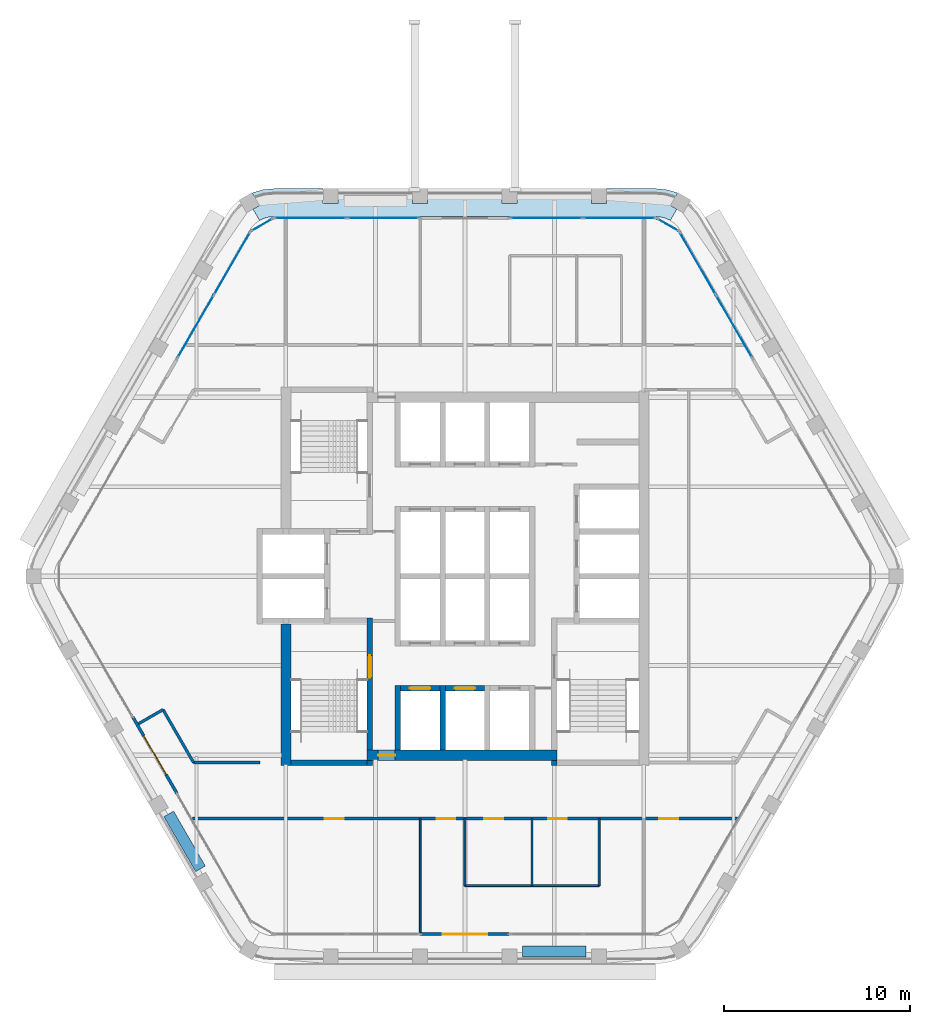
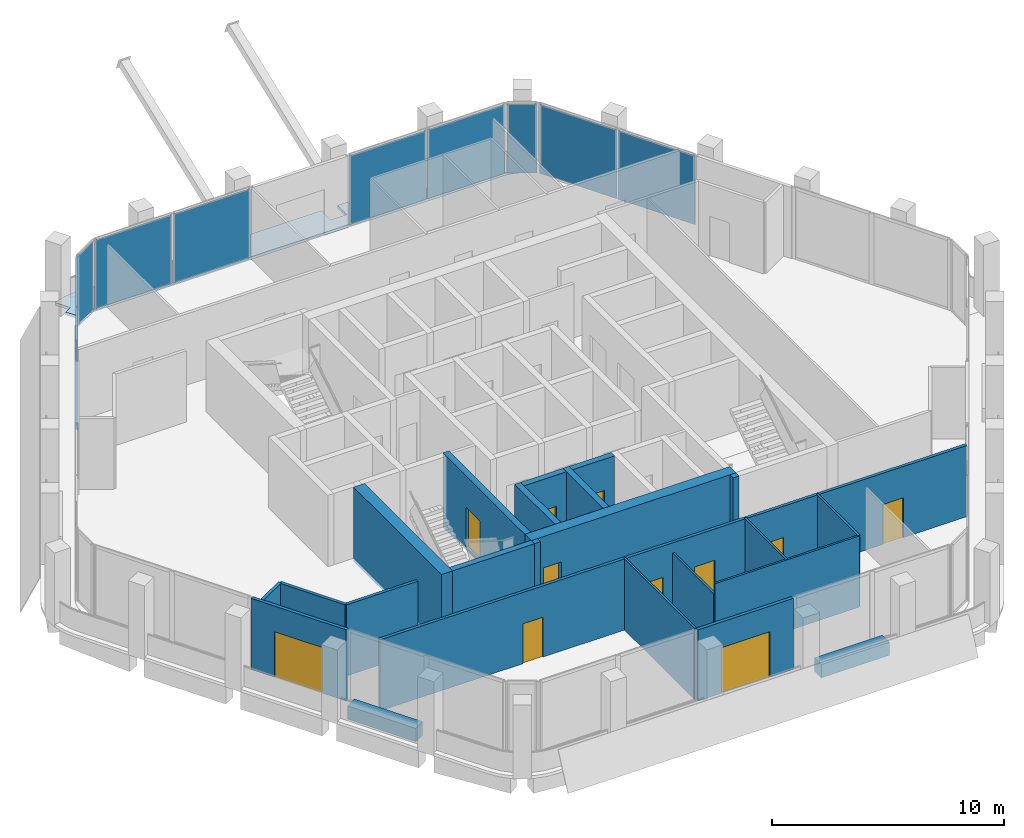
# One storey, part 7 of 14: 23 walls, 11 doors, 10 plates, 1 slab, 11 openings, 6 elements without a shape of their own.
"""IFC4 building model written with IfcOpenShell, lengths in metres."""

from ifc_helpers import new_model, si_unit, direction, frame, frame_2d, origin, origin_2d, place, context, subcontext, project, spatial, polyline, rectangle, outline, extrude, material, layer, layer_set, type_object, element, fill, aggregate, save


model = new_model("IFC4")

# Units and contexts
model_context = context("Model", 3, precision=1e-05, world=origin(), true_north=direction((0.0, 1.0)))
body_context = subcontext(model_context, "Body", "Model", "MODEL_VIEW")
ifc_project = project(units=[si_unit("LENGTHUNIT", "METRE"), si_unit("AREAUNIT", "SQUARE_METRE"), si_unit("VOLUMEUNIT", "CUBIC_METRE"), si_unit("PLANEANGLEUNIT", "RADIAN"), si_unit("MASSUNIT", "GRAM", prefix="KILO")], contexts=[model_context])

# Site, building, storey
site_placement = place(None, origin())
site = spatial("IfcSite", under=ifc_project, at=site_placement, CompositionType="ELEMENT")
building_placement = place(site_placement, origin())
building = spatial("IfcBuilding", under=site, at=building_placement, Name="Kolab Exchange Tower", CompositionType="ELEMENT")
storey_placement = place(building_placement, frame((0.0, 0.0, 261.800048828125)))
storey = spatial("IfcBuildingStorey", under=building, at=storey_placement, Name="L58", CompositionType="ELEMENT", Elevation=261.800048828125)

# Slab
ifc_material_1 = material(Name="Concrete C35/45", Category="concrete")
ifc_layer_1 = layer(ifc_material_1, 0.14990234375)
ifc_layer_set_1 = layer_set([ifc_layer_1], Name="Concrete C35/45")
slab_type = type_object("IfcSlabType", Name="LOGGIA SLAB 150", PredefinedType="FLOOR", material=ifc_layer_set_1)
slab_placement = place(storey_placement, frame((0.0, 0.0, -0.150146484375)))
element("IfcSlab", 1, at=slab_placement, inside=storey, type_object=slab_type, Name="slab/L58/loggia/0-0", PredefinedType="FLOOR", context=body_context, shape_type="SweptSolid", body=[
    extrude(outline(polyline([(11.01806640625, 19.083740234375), (11.367919921875, 19.68994140625), (11.021484375, 19.889892578125), (11.404052734375, 20.552490234375), (11.2939453125, 20.603759765625), (10.788818359375, 20.739013671875), (10.26806640625, 20.78466796875), (7.60009765625, 20.78466796875), (7.60009765625, 19.984619140625), (6.800048828125, 19.984619140625), (6.800048828125, 20.78466796875), (2.800048828125, 20.78466796875), (2.800048828125, 19.984619140625), (2.0, 19.984619140625), (2.0, 20.78466796875), (-2.0, 20.78466796875), (-2.0, 19.984619140625), (-2.800048828125, 19.984619140625), (-2.800048828125, 20.78466796875), (-6.800048828125, 20.78466796875), (-6.800048828125, 19.984619140625), (-7.60009765625, 19.984619140625), (-7.60009765625, 20.78466796875), (-10.26806640625, 20.78466796875), (-10.788818359375, 20.739013671875), (-11.2939453125, 20.603759765625), (-11.404052734375, 20.552490234375), (-11.021484375, 19.889892578125), (-11.367919921875, 19.68994140625), (-11.01806640625, 19.083740234375), (-10.781005859375, 19.194091796875), (-10.5283203125, 19.26171875), (-10.26806640625, 19.28466796875), (10.26806640625, 19.28466796875), (10.5283203125, 19.26171875), (10.781005859375, 19.194091796875), (11.01806640625, 19.083740234375)])), origin(), (0.0, 0.0, 1.0), 0.150146484375),
])

# Curtain wall, plates
ifc_material_2 = material(Name="Aluminium EN AW-6063 T6", Category="aluminium")
curtain_wall_type = type_object("IfcCurtainWallType", Name="UNITISED HIGH ZONE CURTAIN WALL", PredefinedType="NOTDEFINED", material=ifc_material_2)
curtain_wall_1_placement = place(storey_placement, origin())
curtain_wall_1 = element("IfcCurtainWall", 2, at=curtain_wall_1_placement, inside=storey, type_object=curtain_wall_type, Name="cw/L58/F1-1", PredefinedType="NOTDEFINED")
ifc_material_3 = material(Name="Clear insulated glazing unit", Category="glass")
ifc_layer_2 = layer(ifc_material_3, 0.030029296875)
ifc_layer_set_2 = layer_set([ifc_layer_2], Name="Clear insulated glazing unit")
plate_type = type_object("IfcPlateType", Name="UNITISED HIGH ZONE GLASS PANEL 30", PredefinedType="CURTAIN_PANEL", material=ifc_layer_set_2)
plate_1_placement = place(storey_placement, frame((-8.285888671875, 19.20458984375, 0.06005859375), z_axis=(0.0, 0.0, 1.0), x_axis=(1.0, 0.0, 0.0)))
plate_1 = element("IfcPlate", 3, at=plate_1_placement, type_object=plate_type, Name="CW4 panel 1.1", PredefinedType="CURTAIN_PANEL", context=body_context, shape_type="SweptSolid", body=[
    extrude(rectangle(XDim=3.843994140625, YDim=0.030029296875, at=origin_2d()), origin(), (0.0, 0.0, 1.0), 3.6298828125),
])
plate_2_placement = place(storey_placement, frame((-4.382080078125, 19.20458984375, 0.06005859375), z_axis=(0.0, 0.0, 1.0), x_axis=(1.0, 0.0, 0.0)))
plate_2 = element("IfcPlate", 4, at=plate_2_placement, type_object=plate_type, Name="CW4 panel 2.1", PredefinedType="CURTAIN_PANEL", context=body_context, shape_type="SweptSolid", body=[
    extrude(rectangle(XDim=3.843994140625, YDim=0.030029296875, at=origin_2d()), origin(), (0.0, 0.0, 1.0), 3.6298828125),
])
aggregate(curtain_wall_1, [plate_1, plate_2])

curtain_wall_2_placement = place(storey_placement, origin())
curtain_wall_2 = element("IfcCurtainWall", 5, at=curtain_wall_2_placement, inside=storey, type_object=curtain_wall_type, Name="cw/L58/F1-2", PredefinedType="NOTDEFINED")
plate_3_placement = place(storey_placement, frame((4.382080078125, 19.20458984375, 0.06005859375), z_axis=(0.0, 0.0, 1.0), x_axis=(1.0, 0.0, 0.0)))
plate_3 = element("IfcPlate", 6, at=plate_3_placement, type_object=plate_type, Name="CW4 panel 1.1", PredefinedType="CURTAIN_PANEL", context=body_context, shape_type="SweptSolid", body=[
    extrude(rectangle(XDim=3.843994140625, YDim=0.030029296875, at=origin_2d()), origin(), (0.0, 0.0, 1.0), 3.6298828125),
])
plate_4_placement = place(storey_placement, frame((8.285888671875, 19.20458984375, 0.06005859375), z_axis=(0.0, 0.0, 1.0), x_axis=(1.0, 0.0, 0.0)))
plate_4 = element("IfcPlate", 7, at=plate_4_placement, type_object=plate_type, Name="CW4 panel 2.1", PredefinedType="CURTAIN_PANEL", context=body_context, shape_type="SweptSolid", body=[
    extrude(rectangle(XDim=3.843994140625, YDim=0.030029296875, at=origin_2d()), origin(), (0.0, 0.0, 1.0), 3.6298828125),
])
aggregate(curtain_wall_2, [plate_3, plate_4])

curtain_wall_3_placement = place(storey_placement, origin())
curtain_wall_3 = element("IfcCurtainWall", 8, at=curtain_wall_3_placement, inside=storey, type_object=curtain_wall_type, Name="cw/L58/F2-1", PredefinedType="NOTDEFINED")
plate_5_placement = place(storey_placement, frame((12.48876953125, 16.778076171875, 0.06005859375), z_axis=(0.0, 0.0, 1.0), x_axis=(0.500000031681, -0.866025385493, 0.0)))
plate_5 = element("IfcPlate", 9, at=plate_5_placement, type_object=plate_type, Name="CW4 panel 1.1", PredefinedType="CURTAIN_PANEL", context=body_context, shape_type="SweptSolid", body=[
    extrude(rectangle(XDim=3.843994140625, YDim=0.030029296875, at=origin_2d()), origin(), (0.0, 0.0, 1.0), 3.6298828125),
])
plate_6_placement = place(storey_placement, frame((14.440673828125, 13.397216796875, 0.06005859375), z_axis=(0.0, 0.0, 1.0), x_axis=(0.500000031681, -0.866025385493, 0.0)))
plate_6 = element("IfcPlate", 10, at=plate_6_placement, type_object=plate_type, Name="CW4 panel 2.1", PredefinedType="CURTAIN_PANEL", context=body_context, shape_type="SweptSolid", body=[
    extrude(rectangle(XDim=3.843994140625, YDim=0.030029296875, at=origin_2d()), origin(), (0.0, 0.0, 1.0), 3.6298828125),
])
aggregate(curtain_wall_3, [plate_5, plate_6])

curtain_wall_4_placement = place(storey_placement, origin())
curtain_wall_4 = element("IfcCurtainWall", 11, at=curtain_wall_4_placement, inside=storey, type_object=curtain_wall_type, Name="cw/L58/F6-2", PredefinedType="NOTDEFINED")
plate_7_placement = place(storey_placement, frame((-14.440673828125, 13.397216796875, 0.06005859375), z_axis=(0.0, 0.0, 1.0), x_axis=(0.500000031681, 0.866025385493, 0.0)))
plate_7 = element("IfcPlate", 12, at=plate_7_placement, type_object=plate_type, Name="CW4 panel 1.1", PredefinedType="CURTAIN_PANEL", context=body_context, shape_type="SweptSolid", body=[
    extrude(rectangle(XDim=3.843994140625, YDim=0.030029296875, at=origin_2d()), origin(), (0.0, 0.0, 1.0), 3.6298828125),
])
plate_8_placement = place(storey_placement, frame((-12.48876953125, 16.778076171875, 0.06005859375), z_axis=(0.0, 0.0, 1.0), x_axis=(0.500000031681, 0.866025385493, 0.0)))
plate_8 = element("IfcPlate", 13, at=plate_8_placement, type_object=plate_type, Name="CW4 panel 2.1", PredefinedType="CURTAIN_PANEL", context=body_context, shape_type="SweptSolid", body=[
    extrude(rectangle(XDim=3.843994140625, YDim=0.030029296875, at=origin_2d()), origin(), (0.0, 0.0, 1.0), 3.6298828125),
])
aggregate(curtain_wall_4, [plate_7, plate_8])

# Curtain wall, plate
curtain_wall_5_placement = place(storey_placement, origin())
curtain_wall_5 = element("IfcCurtainWall", 14, at=curtain_wall_5_placement, inside=storey, type_object=curtain_wall_type, Name="cw/L58/F1F2-corner", PredefinedType="NOTDEFINED")
plate_9_placement = place(storey_placement, frame((10.8828125, 18.849609375, 0.06005859375), z_axis=(0.0, 0.0, 1.0), x_axis=(0.866025390869, -0.50000002237, 0.0)))
plate_9 = element("IfcPlate", 15, at=plate_9_placement, type_object=plate_type, Name="CW4 panel 1.1", PredefinedType="CURTAIN_PANEL", context=body_context, shape_type="SweptSolid", body=[
    extrude(rectangle(XDim=1.300048828125, YDim=0.030029296875, at=origin_2d()), origin(), (0.0, 0.0, 1.0), 3.6298828125),
])
aggregate(curtain_wall_5, [plate_9])

curtain_wall_6_placement = place(storey_placement, origin())
curtain_wall_6 = element("IfcCurtainWall", 16, at=curtain_wall_6_placement, inside=storey, type_object=curtain_wall_type, Name="cw/L58/F6F1-corner", PredefinedType="NOTDEFINED")
plate_10_placement = place(storey_placement, frame((-10.8828125, 18.849609375, 0.06005859375), z_axis=(0.0, 0.0, 1.0), x_axis=(0.866025390869, 0.50000002237, 0.0)))
plate_10 = element("IfcPlate", 17, at=plate_10_placement, type_object=plate_type, Name="CW4 panel 1.1", PredefinedType="CURTAIN_PANEL", context=body_context, shape_type="SweptSolid", body=[
    extrude(rectangle(XDim=1.300048828125, YDim=0.030029296875, at=origin_2d()), origin(), (0.0, 0.0, 1.0), 3.6298828125),
])
aggregate(curtain_wall_6, [plate_10])

# Wall, opening, door
ifc_material_4 = material(Name="Concrete C50/60", Category="concrete")
ifc_layer_3 = layer(ifc_material_4, 0.550048828125)
ifc_layer_set_3 = layer_set([ifc_layer_3], Name="Concrete C50/60")
wall_type_1 = type_object("IfcWallType", Name="CORE WALL 550 C50/60", PredefinedType="SHEAR", material=ifc_layer_set_3)
wall_1_placement = place(storey_placement, frame((-5.25, -9.60009765625, -0.150146484375), z_axis=(0.0, 0.0, 1.0), x_axis=(1.0, 0.0, 0.0)))
wall_1 = element("IfcWall", 18, at=wall_1_placement, inside=storey, type_object=wall_type_1, Name="wall/L58/core/002", PredefinedType="SHEAR", context=body_context, shape_type="SweptSolid", body=[
    extrude(rectangle(XDim=10.199951171875, YDim=0.550048828125, at=frame_2d((5.10009765625, 0.0))), origin(), (0.0, 0.0, 1.0), 3.900146484375),
])
opening_1_placement = place(wall_1_placement, frame((0.60009765625, 0.0, 0.14990234375)))
opening_1 = element("IfcOpeningElement", 19, at=opening_1_placement, cuts=wall_1, Name="Opening D6-297", PredefinedType="OPENING", context=body_context, shape_type="SweptSolid", body=[
    extrude(rectangle(XDim=0.89990234375, YDim=2.10009765625, at=frame_2d((0.449951171875, 1.050048828125))), frame((0.0, 0.28515625, 0.0), z_axis=(0.0, -1.0, 0.0), x_axis=(1.0, 0.0, 0.0)), (0.0, 0.0, 1.0), 0.570068359375),
])
ifc_material_5 = material(Name="Steel S235", Category="steel")
door_type_1 = type_object("IfcDoorType", Name="CORE DOOR 900 EI 120", OperationType="SINGLE_SWING_LEFT", PredefinedType="DOOR", material=ifc_material_5)
door_1_placement = place(opening_1_placement, origin())
door_1 = element("IfcDoor", 20, at=door_1_placement, inside=storey, type_object=door_type_1, Name="Core lobby door", OperationType="SINGLE_SWING_RIGHT", OverallHeight=2.10009765625, OverallWidth=0.89990234375, PredefinedType="DOOR", context=body_context, shape_type="SweptSolid", body=[
    extrude(rectangle(XDim=0.89990234375, YDim=2.10009765625, at=frame_2d((0.449951171875, 1.050048828125))), frame((0.0, 0.02490234375, 0.0), z_axis=(0.0, -1.0, 0.0), x_axis=(1.0, 0.0, 0.0)), (0.0, 0.0, 1.0), 0.050048828125),
])
fill(opening_1, door_1)

# Wall
wall_2_placement = place(storey_placement, frame((-9.60009765625, -10.14990234375, -0.150146484375), z_axis=(0.0, 0.0, 1.0), x_axis=(0.0, 1.0, 0.0)))
element("IfcWall", 21, at=wall_2_placement, inside=storey, type_object=wall_type_1, Name="wall/L58/core/034", PredefinedType="SHEAR", context=body_context, shape_type="SweptSolid", body=[
    extrude(rectangle(XDim=7.599853515625, YDim=0.550048828125, at=frame_2d((3.7998046875, 0.0))), origin(), (0.0, 0.0, 1.0), 3.900146484375),
])

# Wall, opening, door
ifc_layer_4 = layer(ifc_material_2, 0.159912109375)
ifc_layer_set_4 = layer_set([ifc_layer_4], Name="Aluminium EN AW-6063 T6")
wall_type_2 = type_object("IfcWallType", Name="DOOR SURROUND WALL 160 ALUMINIUM FRAMED", PredefinedType="PARTITIONING", material=ifc_layer_set_4)
wall_3_placement = place(storey_placement, frame((2.3701171875, -19.20458984375, 0.0), z_axis=(0.0, 0.0, 1.0), x_axis=(-1.0, 0.0, 0.0)))
wall_3 = element("IfcWall", 22, at=wall_3_placement, inside=storey, type_object=wall_type_2, Name="Door surround wall", PredefinedType="PARTITIONING", context=body_context, shape_type="SweptSolid", body=[
    extrude(rectangle(XDim=4.740234375, YDim=0.159912109375, at=frame_2d((2.3701171875, 0.0))), origin(), (0.0, 0.0, 1.0), 3.75),
])
opening_2_placement = place(wall_3_placement, frame((1.169921875, 0.0, 0.0)))
opening_2 = element("IfcOpeningElement", 23, at=opening_2_placement, cuts=wall_3, Name="Opening GD1-092", PredefinedType="OPENING", context=body_context, shape_type="SweptSolid", body=[
    extrude(rectangle(XDim=2.39990234375, YDim=2.39990234375, at=frame_2d((1.199951171875, 1.199951171875))), frame((0.0, 0.08984375, 0.0), z_axis=(0.0, -1.0, 0.0), x_axis=(1.0, 0.0, 0.0)), (0.0, 0.0, 1.0), 0.179931640625),
])
door_type_2 = type_object("IfcDoorType", Name="LOGGIA SLIDING GLASS DOOR 2400 X 2400", OperationType="DOUBLE_DOOR_SINGLE_SWING", PredefinedType="DOOR", material=ifc_material_2)
door_2_placement = place(opening_2_placement, origin())
door_2 = element("IfcDoor", 24, at=door_2_placement, inside=storey, type_object=door_type_2, Name="Loggia door", OperationType="DOUBLE_DOOR_SLIDING", OverallHeight=2.39990234375, OverallWidth=2.39990234375, PredefinedType="DOOR", context=body_context, shape_type="SweptSolid", body=[
    extrude(rectangle(XDim=2.39990234375, YDim=2.39990234375, at=frame_2d((1.199951171875, 1.199951171875))), frame((0.0, 0.02490234375, 0.0), z_axis=(0.0, -1.0, 0.0), x_axis=(1.0, 0.0, 0.0)), (0.0, 0.0, 1.0), 0.050048828125),
])
fill(opening_2, door_2)

wall_4_placement = place(storey_placement, frame((-15.44677734375, -11.65478515625, 0.0), z_axis=(0.0, 0.0, 1.0), x_axis=(-0.499978080042, 0.866038058908, 0.0)))
wall_4 = element("IfcWall", 25, at=wall_4_placement, inside=storey, type_object=wall_type_2, Name="Door surround wall", PredefinedType="PARTITIONING", context=body_context, shape_type="SweptSolid", body=[
    extrude(rectangle(XDim=4.739990234375, YDim=0.159912109375, at=frame_2d((2.3701171875, 0.0))), origin(), (0.0, 0.0, 1.0), 3.75),
])
opening_3_placement = place(wall_4_placement, frame((1.169921875, 0.0, 0.0)))
opening_3 = element("IfcOpeningElement", 26, at=opening_3_placement, cuts=wall_4, Name="Opening GD1-093", PredefinedType="OPENING", context=body_context, shape_type="SweptSolid", body=[
    extrude(rectangle(XDim=2.39990234375, YDim=2.39990234375, at=frame_2d((1.199951171875, 1.199951171875))), frame((0.0, 0.08984375, 0.0), z_axis=(0.0, -1.0, 0.0), x_axis=(1.0, 0.0, 0.0)), (0.0, 0.0, 1.0), 0.179931640625),
])
door_3_placement = place(opening_3_placement, origin())
door_3 = element("IfcDoor", 27, at=door_3_placement, inside=storey, type_object=door_type_2, Name="Loggia door", OperationType="DOUBLE_DOOR_SLIDING", OverallHeight=2.39990234375, OverallWidth=2.39990234375, PredefinedType="DOOR", context=body_context, shape_type="SweptSolid", body=[
    extrude(rectangle(XDim=2.39990234375, YDim=2.39990234375, at=frame_2d((1.199951171875, 1.199951171875))), frame((0.0, 0.02490234375, 0.0), z_axis=(0.0, -1.0, 0.0), x_axis=(1.0, 0.0, 0.0)), (0.0, 0.0, 1.0), 0.050048828125),
])
fill(opening_3, door_3)

ifc_layer_5 = layer(ifc_material_4, 0.300048828125)
ifc_layer_set_5 = layer_set([ifc_layer_5], Name="Concrete C50/60")
wall_type_3 = type_object("IfcWallType", Name="LIFT SHAFT WALL 300 C50/60", PredefinedType="STANDARD", material=ifc_layer_set_5)
wall_5_placement = place(storey_placement, frame((-3.449951171875, -6.0, -0.150146484375), z_axis=(0.0, 0.0, 1.0), x_axis=(1.0, 0.0, 0.0)))
wall_5 = element("IfcWall", 28, at=wall_5_placement, inside=storey, type_object=wall_type_3, Name="wall/L58/core/003", PredefinedType="STANDARD", context=body_context, shape_type="SweptSolid", body=[
    extrude(rectangle(XDim=2.099853515625, YDim=0.300048828125, at=frame_2d((1.0498046875, 0.0))), origin(), (0.0, 0.0, 1.0), 3.900146484375),
])
opening_4_placement = place(wall_5_placement, frame((0.5, 0.0, 0.14990234375)))
opening_4 = element("IfcOpeningElement", 29, at=opening_4_placement, cuts=wall_5, Name="Opening LD1-110", PredefinedType="OPENING", context=body_context, shape_type="SweptSolid", body=[
    extrude(rectangle(XDim=1.10009765625, YDim=2.10009765625, at=frame_2d((0.550048828125, 1.050048828125))), frame((0.0, 0.16015625, 0.0), z_axis=(0.0, -1.0, 0.0), x_axis=(1.0, 0.0, 0.0)), (0.0, 0.0, 1.0), 0.320068359375),
])
ifc_material_6 = material(Name="Stainless steel 316", Category="steel")
door_type_3 = type_object("IfcDoorType", Name="LANDING DOOR 1100 PASSENGER", OperationType="DOUBLE_DOOR_SLIDING", PredefinedType="DOOR", material=ifc_material_6)
door_4_placement = place(opening_4_placement, origin())
door_4 = element("IfcDoor", 30, at=door_4_placement, inside=storey, type_object=door_type_3, Name="Landing door HR10", OperationType="DOUBLE_DOOR_SLIDING", OverallHeight=2.10009765625, OverallWidth=1.10009765625, PredefinedType="DOOR", context=body_context, shape_type="SweptSolid", body=[
    extrude(rectangle(XDim=1.10009765625, YDim=2.10009765625, at=frame_2d((0.550048828125, 1.050048828125))), frame((0.0, 0.02490234375, 0.0), z_axis=(0.0, -1.0, 0.0), x_axis=(1.0, 0.0, 0.0)), (0.0, 0.0, 1.0), 0.050048828125),
])
fill(opening_4, door_4)

wall_6_placement = place(storey_placement, frame((-1.050048828125, -6.0, -0.150146484375), z_axis=(0.0, 0.0, 1.0), x_axis=(1.0, 0.0, 0.0)))
wall_6 = element("IfcWall", 31, at=wall_6_placement, inside=storey, type_object=wall_type_3, Name="wall/L58/core/004", PredefinedType="STANDARD", context=body_context, shape_type="SweptSolid", body=[
    extrude(rectangle(XDim=2.10009765625, YDim=0.300048828125, at=frame_2d((1.050048828125, 0.0))), origin(), (0.0, 0.0, 1.0), 3.900146484375),
])
opening_5_placement = place(wall_6_placement, frame((0.5, 0.0, 0.14990234375)))
opening_5 = element("IfcOpeningElement", 32, at=opening_5_placement, cuts=wall_6, Name="Opening LD1-111", PredefinedType="OPENING", context=body_context, shape_type="SweptSolid", body=[
    extrude(rectangle(XDim=1.10009765625, YDim=2.10009765625, at=frame_2d((0.550048828125, 1.050048828125))), frame((0.0, 0.16015625, 0.0), z_axis=(0.0, -1.0, 0.0), x_axis=(1.0, 0.0, 0.0)), (0.0, 0.0, 1.0), 0.320068359375),
])
door_5_placement = place(opening_5_placement, origin())
door_5 = element("IfcDoor", 33, at=door_5_placement, inside=storey, type_object=door_type_3, Name="Landing door HR11", OperationType="DOUBLE_DOOR_SLIDING", OverallHeight=2.10009765625, OverallWidth=1.10009765625, PredefinedType="DOOR", context=body_context, shape_type="SweptSolid", body=[
    extrude(rectangle(XDim=1.10009765625, YDim=2.10009765625, at=frame_2d((0.550048828125, 1.050048828125))), frame((0.0, 0.02490234375, 0.0), z_axis=(0.0, -1.0, 0.0), x_axis=(1.0, 0.0, 0.0)), (0.0, 0.0, 1.0), 0.050048828125),
])
fill(opening_5, door_5)

# Walls
for number, where, z_axis, x_axis, name in (
    (34, (-3.60009765625, -9.324951171875, -0.150146484375), (0.0, 0.0, 1.0), (0.0, 1.0, 0.0), "wall/L58/core/043"),
    (35, (-1.199951171875, -9.324951171875, -0.150146484375), (0.0, 0.0, 1.0), (0.0, 1.0, 0.0), "wall/L58/core/046"),
):
    element("IfcWall", number, at=place(storey_placement, frame(where, z_axis=z_axis, x_axis=x_axis)), inside=storey, type_object=wall_type_3, Name=name, PredefinedType="STANDARD", context=body_context, shape_type="SweptSolid", body=[
        extrude(rectangle(XDim=3.474853515625, YDim=0.300048828125, at=frame_2d((1.7373046875, 0.0))), origin(), (0.0, 0.0, 1.0), 3.900146484375),
    ])
ifc_material_7 = material(Name="Gypsum board", Category="gypsum")
ifc_layer_6 = layer(ifc_material_7, 0.10009765625)
ifc_layer_set_6 = layer_set([ifc_layer_6], Name="Gypsum board")
wall_type_4 = type_object("IfcWallType", Name="PARTITION 100", PredefinedType="PARTITIONING", material=ifc_layer_set_6)
for number, where, z_axis, x_axis, name in (
    (36, (7.199951171875, -16.60009765625, 0.0), (0.0, 0.0, 1.0), (0.0, 1.0, 0.0), "Partition 004"),
    (37, (3.60009765625, -16.60009765625, 0.0), (0.0, 0.0, 1.0), (0.0, 1.0, 0.0), "Partition 006"),
):
    element("IfcWall", number, at=place(storey_placement, frame(where, z_axis=z_axis, x_axis=x_axis)), inside=storey, type_object=wall_type_4, Name=name, PredefinedType="PARTITIONING", context=body_context, shape_type="SweptSolid", body=[
        extrude(rectangle(XDim=3.60009765625, YDim=0.10009765625, at=frame_2d((1.800048828125, 0.0))), origin(), (0.0, 0.0, 1.0), 3.75),
    ])
wall_7_placement = place(storey_placement, frame((0.0, -16.60009765625, 0.0), z_axis=(0.0, 0.0, 1.0), x_axis=(0.0, 1.0, 0.0)))
element("IfcWall", 38, at=wall_7_placement, inside=storey, type_object=wall_type_4, Name="Partition 008", PredefinedType="PARTITIONING", context=body_context, shape_type="SweptSolid", body=[
    extrude(rectangle(XDim=3.60009765625, YDim=0.10009765625, at=frame_2d((1.800048828125, 0.0))), origin(), (0.0, 0.0, 1.0), 3.217041015625),
])
wall_8_placement = place(storey_placement, frame((-2.39990234375, -19.12451171875, 0.0), z_axis=(0.0, 0.0, 1.0), x_axis=(0.0, 1.0, 0.0)))
element("IfcWall", 39, at=wall_8_placement, inside=storey, type_object=wall_type_4, Name="Partition 009", PredefinedType="PARTITIONING", context=body_context, shape_type="SweptSolid", body=[
    extrude(rectangle(XDim=6.12451171875, YDim=0.10009765625, at=frame_2d((3.062255859375, 0.0))), origin(), (0.0, 0.0, 1.0), 3.75),
])
wall_9_placement = place(storey_placement, frame((0.0, -16.60009765625, 0.0), z_axis=(0.0, 0.0, 1.0), x_axis=(1.0, 0.0, 0.0)))
element("IfcWall", 40, at=wall_9_placement, inside=storey, type_object=wall_type_4, Name="Partition 020", PredefinedType="PARTITIONING", context=body_context, shape_type="SweptSolid", body=[
    extrude(rectangle(XDim=7.199951171875, YDim=0.10009765625, at=frame_2d((3.60009765625, 0.0))), origin(), (0.0, 0.0, 1.0), 3.75),
])
ifc_layer_7 = layer(ifc_material_7, 0.14990234375)
ifc_layer_set_7 = layer_set([ifc_layer_7], Name="Gypsum board")
wall_type_5 = type_object("IfcWallType", Name="PARTITION 150 FIRE-RATED", PredefinedType="PARTITIONING", material=ifc_layer_set_7)
wall_10_placement = place(storey_placement, frame((-16.196044921875, -7.15673828125, 0.0), z_axis=(0.0, 0.0, 1.0), x_axis=(0.499954196102, -0.866051847062, 0.0)))
element("IfcWall", 41, at=wall_10_placement, inside=storey, type_object=wall_type_5, Name="Partition 012", PredefinedType="PARTITIONING", context=body_context, shape_type="SweptSolid", body=[
    extrude(rectangle(XDim=3.282958984375, YDim=0.14990234375, at=frame_2d((1.6416015625, 0.0))), origin(), (0.0, 0.0, 1.0), 3.75),
])
wall_11_placement = place(storey_placement, frame((-17.512451171875, -7.9169921875, 0.0), z_axis=(0.0, 0.0, 1.0), x_axis=(0.865960906633, 0.500111695708, 0.0)))
element("IfcWall", 42, at=wall_11_placement, inside=storey, type_object=wall_type_5, Name="Partition 019", PredefinedType="PARTITIONING", context=body_context, shape_type="SweptSolid", body=[
    extrude(rectangle(XDim=1.520263671875, YDim=0.14990234375, at=frame_2d((0.76025390625, 0.0))), origin(), (0.0, 0.0, 1.0), 3.75),
])

# Wall, openings, doors
wall_12_placement = place(storey_placement, frame((-14.623779296875, -13.0, 0.0), z_axis=(0.0, 0.0, 1.0), x_axis=(1.0, 0.0, 0.0)))
wall_12 = element("IfcWall", 43, at=wall_12_placement, inside=storey, type_object=wall_type_5, Name="Partition 021", PredefinedType="PARTITIONING", context=body_context, shape_type="SweptSolid", body=[
    extrude(rectangle(XDim=29.24755859375, YDim=0.14990234375, at=frame_2d((14.623779296875, 0.0))), origin(), (0.0, 0.0, 1.0), 3.75),
])
opening_6_placement = place(wall_12_placement, frame((15.668701171875, 0.0, 0.0)))
opening_6 = element("IfcOpeningElement", 44, at=opening_6_placement, cuts=wall_12, Name="Opening D1-707", PredefinedType="OPENING", context=body_context, shape_type="SweptSolid", body=[
    extrude(rectangle(XDim=1.0, YDim=2.10009765625, at=frame_2d((0.5, 1.050048828125))), frame((0.0, 0.0849609375, 0.0), z_axis=(0.0, -1.0, 0.0), x_axis=(1.0, 0.0, 0.0)), (0.0, 0.0, 1.0), 0.169921875),
])
opening_7_placement = place(wall_12_placement, frame((19.098876953125, 0.0, 0.0)))
opening_7 = element("IfcOpeningElement", 45, at=opening_7_placement, cuts=wall_12, Name="Opening D1-708", PredefinedType="OPENING", context=body_context, shape_type="SweptSolid", body=[
    extrude(rectangle(XDim=1.0, YDim=2.10009765625, at=frame_2d((0.5, 1.050048828125))), frame((0.0, 0.0849609375, 0.0), z_axis=(0.0, -1.0, 0.0), x_axis=(1.0, 0.0, 0.0)), (0.0, 0.0, 1.0), 0.169921875),
])
opening_8_placement = place(wall_12_placement, frame((7.112060546875, 0.0, 0.0)))
opening_8 = element("IfcOpeningElement", 46, at=opening_8_placement, cuts=wall_12, Name="Opening D1-709", PredefinedType="OPENING", context=body_context, shape_type="SweptSolid", body=[
    extrude(rectangle(XDim=1.0, YDim=2.10009765625, at=frame_2d((0.5, 1.050048828125))), frame((0.0, 0.0849609375, 0.0), z_axis=(0.0, -1.0, 0.0), x_axis=(1.0, 0.0, 0.0)), (0.0, 0.0, 1.0), 0.169921875),
])
opening_9_placement = place(wall_12_placement, frame((13.098876953125, 0.0, 0.0)))
opening_9 = element("IfcOpeningElement", 47, at=opening_9_placement, cuts=wall_12, Name="Opening D1-710", PredefinedType="OPENING", context=body_context, shape_type="SweptSolid", body=[
    extrude(rectangle(XDim=1.0, YDim=2.10009765625, at=frame_2d((0.5, 1.050048828125))), frame((0.0, 0.0849609375, 0.0), z_axis=(0.0, -1.0, 0.0), x_axis=(1.0, 0.0, 0.0)), (0.0, 0.0, 1.0), 0.169921875),
])
opening_10_placement = place(wall_12_placement, frame((25.05810546875, 0.0, 0.0)))
opening_10 = element("IfcOpeningElement", 48, at=opening_10_placement, cuts=wall_12, Name="Opening D1-711", PredefinedType="OPENING", context=body_context, shape_type="SweptSolid", body=[
    extrude(rectangle(XDim=1.0, YDim=2.10009765625, at=frame_2d((0.5, 1.050048828125))), frame((0.0, 0.0849609375, 0.0), z_axis=(0.0, -1.0, 0.0), x_axis=(1.0, 0.0, 0.0)), (0.0, 0.0, 1.0), 0.169921875),
])
door_type_4 = type_object("IfcDoorType", Name="FLUSH DOOR 1000 FD60", OperationType="SINGLE_SWING_LEFT", PredefinedType="DOOR", material=ifc_material_5)
door_6_placement = place(opening_6_placement, frame((1.0, 0.0, 0.0), z_axis=(0.0, 0.0, 1.0), x_axis=(-1.0, 0.0, 0.0)))
door_6 = element("IfcDoor", 49, at=door_6_placement, inside=storey, type_object=door_type_4, Name="Door L58-035", OperationType="SINGLE_SWING_LEFT", OverallHeight=2.10009765625, OverallWidth=1.0, PredefinedType="DOOR", context=body_context, shape_type="SweptSolid", body=[
    extrude(rectangle(XDim=1.0, YDim=2.10009765625, at=frame_2d((0.5, 1.050048828125))), frame((0.0, 0.02490234375, 0.0), z_axis=(0.0, -1.0, 0.0), x_axis=(1.0, 0.0, 0.0)), (0.0, 0.0, 1.0), 0.050048828125),
])
fill(opening_6, door_6)
door_7_placement = place(opening_7_placement, frame((1.0, 0.0, 0.0), z_axis=(0.0, 0.0, 1.0), x_axis=(-1.0, 0.0, 0.0)))
door_7 = element("IfcDoor", 50, at=door_7_placement, inside=storey, type_object=door_type_4, Name="Door L58-036", OperationType="SINGLE_SWING_LEFT", OverallHeight=2.10009765625, OverallWidth=1.0, PredefinedType="DOOR", context=body_context, shape_type="SweptSolid", body=[
    extrude(rectangle(XDim=1.0, YDim=2.10009765625, at=frame_2d((0.5, 1.050048828125))), frame((0.0, 0.02490234375, 0.0), z_axis=(0.0, -1.0, 0.0), x_axis=(1.0, 0.0, 0.0)), (0.0, 0.0, 1.0), 0.050048828125),
])
fill(opening_7, door_7)
door_8_placement = place(opening_8_placement, frame((1.0, 0.0, 0.0), z_axis=(0.0, 0.0, 1.0), x_axis=(-1.0, 0.0, 0.0)))
door_8 = element("IfcDoor", 51, at=door_8_placement, inside=storey, type_object=door_type_4, Name="Door L58-037", OperationType="SINGLE_SWING_RIGHT", OverallHeight=2.10009765625, OverallWidth=1.0, PredefinedType="DOOR", context=body_context, shape_type="SweptSolid", body=[
    extrude(rectangle(XDim=1.0, YDim=2.10009765625, at=frame_2d((0.5, 1.050048828125))), frame((0.0, 0.02490234375, 0.0), z_axis=(0.0, -1.0, 0.0), x_axis=(1.0, 0.0, 0.0)), (0.0, 0.0, 1.0), 0.050048828125),
])
fill(opening_8, door_8)
door_9_placement = place(opening_9_placement, frame((1.0, 0.0, 0.0), z_axis=(0.0, 0.0, 1.0), x_axis=(-1.0, 0.0, 0.0)))
door_9 = element("IfcDoor", 52, at=door_9_placement, inside=storey, type_object=door_type_4, Name="Door L58-038", OperationType="SINGLE_SWING_RIGHT", OverallHeight=2.10009765625, OverallWidth=1.0, PredefinedType="DOOR", context=body_context, shape_type="SweptSolid", body=[
    extrude(rectangle(XDim=1.0, YDim=2.10009765625, at=frame_2d((0.5, 1.050048828125))), frame((0.0, 0.02490234375, 0.0), z_axis=(0.0, -1.0, 0.0), x_axis=(1.0, 0.0, 0.0)), (0.0, 0.0, 1.0), 0.050048828125),
])
fill(opening_9, door_9)
door_10_placement = place(opening_10_placement, frame((1.0, 0.0, 0.0), z_axis=(0.0, 0.0, 1.0), x_axis=(-1.0, 0.0, 0.0)))
door_10 = element("IfcDoor", 53, at=door_10_placement, inside=storey, type_object=door_type_4, Name="Door L58-039", OperationType="SINGLE_SWING_LEFT", OverallHeight=2.10009765625, OverallWidth=1.0, PredefinedType="DOOR", context=body_context, shape_type="SweptSolid", body=[
    extrude(rectangle(XDim=1.0, YDim=2.10009765625, at=frame_2d((0.5, 1.050048828125))), frame((0.0, 0.02490234375, 0.0), z_axis=(0.0, -1.0, 0.0), x_axis=(1.0, 0.0, 0.0)), (0.0, 0.0, 1.0), 0.050048828125),
])
fill(opening_10, door_10)

# Walls
wall_13_placement = place(storey_placement, frame((-14.5546875, -10.0, 0.0), z_axis=(0.0, 0.0, 1.0), x_axis=(1.0, 0.0, 0.0)))
element("IfcWall", 54, at=wall_13_placement, inside=storey, type_object=wall_type_5, Name="Partition 022", PredefinedType="PARTITIONING", context=body_context, shape_type="SweptSolid", body=[
    extrude(rectangle(XDim=3.5546875, YDim=0.14990234375, at=frame_2d((1.77734375, 0.0))), origin(), (0.0, 0.0, 1.0), 3.75),
])
ifc_material_8 = material(Name="Granite facing", Category="masonry")
ifc_layer_8 = layer(ifc_material_8, 0.0400390625)
ifc_material_9 = material(Name="Concrete C40/50 precast", Category="concrete")
ifc_layer_9 = layer(ifc_material_9, 0.56005859375)
ifc_layer_set_8 = layer_set([ifc_layer_8, ifc_layer_9], Name="Concrete C40/50 precast")
wall_type_6 = type_object("IfcWallType", Name="PLANTER BOX 600 X 700 SOIL DEPTH 550", PredefinedType="USERDEFINED", material=ifc_layer_set_8)
wall_14_placement = place(storey_placement, frame((6.5, -20.134521484375, 0.0), z_axis=(0.0, 0.0, 1.0), x_axis=(-1.0, 0.0, 0.0)))
element("IfcWall", 55, at=wall_14_placement, inside=storey, type_object=wall_type_6, Name="Planter", ObjectType="PLANTER", PredefinedType="USERDEFINED", context=body_context, shape_type="SweptSolid", body=[
    extrude(rectangle(XDim=3.39990234375, YDim=0.60009765625, at=frame_2d((1.699951171875, 0.0))), origin(), (0.0, 0.0, 1.0), 0.699951171875),
])
wall_15_placement = place(storey_placement, frame((-14.18701171875, -15.696533203125, 0.0), z_axis=(0.0, 0.0, 1.0), x_axis=(-0.499977295307, 0.866038511948, 0.0)))
element("IfcWall", 56, at=wall_15_placement, inside=storey, type_object=wall_type_6, Name="Planter", ObjectType="PLANTER", PredefinedType="USERDEFINED", context=body_context, shape_type="SweptSolid", body=[
    extrude(rectangle(XDim=3.400146484375, YDim=0.60009765625, at=frame_2d((1.7001953125, 0.0))), origin(), (0.0, 0.0, 1.0), 0.699951171875),
])
ifc_layer_10 = layer(ifc_material_4, 0.300048828125)
ifc_layer_set_9 = layer_set([ifc_layer_10], Name="Concrete C50/60")
wall_type_7 = type_object("IfcWallType", Name="STAIR ENCLOSURE WALL 300 C50/60", PredefinedType="STANDARD", material=ifc_layer_set_9)
wall_16_placement = place(storey_placement, frame((-9.324951171875, -10.0, -0.150146484375), z_axis=(0.0, 0.0, 1.0), x_axis=(1.0, 0.0, 0.0)))
element("IfcWall", 57, at=wall_16_placement, inside=storey, type_object=wall_type_7, Name="wall/L58/core/000", PredefinedType="STANDARD", context=body_context, shape_type="SweptSolid", body=[
    extrude(rectangle(XDim=4.074951171875, YDim=0.300048828125, at=frame_2d((2.03759765625, 0.0))), origin(), (0.0, 0.0, 1.0), 3.900146484375),
])
wall_17_placement = place(storey_placement, frame((-5.10009765625, -10.14990234375, -0.150146484375), z_axis=(0.0, 0.0, 1.0), x_axis=(0.0, 1.0, 0.0)))
element("IfcWall", 58, at=wall_17_placement, inside=storey, type_object=wall_type_7, Name="wall/L58/core/039", PredefinedType="STANDARD", context=body_context, shape_type="SweptSolid", body=[
    extrude(rectangle(XDim=0.27490234375, YDim=0.300048828125, at=frame_2d((0.137451171875, 0.0))), origin(), (0.0, 0.0, 1.0), 3.900146484375),
])

# Wall, opening, door
wall_18_placement = place(storey_placement, frame((-5.10009765625, -9.324951171875, -0.150146484375), z_axis=(0.0, 0.0, 1.0), x_axis=(0.0, 1.0, 0.0)))
wall_18 = element("IfcWall", 59, at=wall_18_placement, inside=storey, type_object=wall_type_7, Name="wall/L58/core/040", PredefinedType="STANDARD", context=body_context, shape_type="SweptSolid", body=[
    extrude(rectangle(XDim=7.074951171875, YDim=0.300048828125, at=frame_2d((3.53759765625, 0.0))), origin(), (0.0, 0.0, 1.0), 3.900146484375),
])
opening_11_placement = place(wall_18_placement, frame((3.875, 0.0, 0.14990234375)))
opening_11 = element("IfcOpeningElement", 60, at=opening_11_placement, cuts=wall_18, Name="Opening D4-078", PredefinedType="OPENING", context=body_context, shape_type="SweptSolid", body=[
    extrude(rectangle(XDim=1.199951171875, YDim=2.10009765625, at=frame_2d((0.60009765625, 1.050048828125))), frame((0.0, 0.16015625, 0.0), z_axis=(0.0, -1.0, 0.0), x_axis=(1.0, 0.0, 0.0)), (0.0, 0.0, 1.0), 0.320068359375),
])
door_type_5 = type_object("IfcDoorType", Name="STAIR DOOR 1200 EI 120", OperationType="SINGLE_SWING_LEFT", PredefinedType="DOOR", material=ifc_material_5)
door_11_placement = place(opening_11_placement, origin())
door_11 = element("IfcDoor", 61, at=door_11_placement, inside=storey, type_object=door_type_5, Name="Stair 3 door", OperationType="SINGLE_SWING_RIGHT", OverallHeight=2.10009765625, OverallWidth=1.199951171875, PredefinedType="DOOR", context=body_context, shape_type="SweptSolid", body=[
    extrude(rectangle(XDim=1.199951171875, YDim=2.10009765625, at=frame_2d((0.60009765625, 1.050048828125))), frame((0.0, 0.02490234375, 0.0), z_axis=(0.0, -1.0, 0.0), x_axis=(1.0, 0.0, 0.0)), (0.0, 0.0, 1.0), 0.050048828125),
])
fill(opening_11, door_11)

# Wall
wall_19_placement = place(storey_placement, frame((4.800048828125, -10.14990234375, -0.150146484375), z_axis=(0.0, 0.0, 1.0), x_axis=(0.0, 1.0, 0.0)))
element("IfcWall", 62, at=wall_19_placement, inside=storey, type_object=wall_type_7, Name="wall/L58/core/055", PredefinedType="STANDARD", context=body_context, shape_type="SweptSolid", body=[
    extrude(rectangle(XDim=0.27490234375, YDim=0.300048828125, at=frame_2d((0.137451171875, 0.0))), origin(), (0.0, 0.0, 1.0), 3.900146484375),
])

save(model, "model.ifc")
